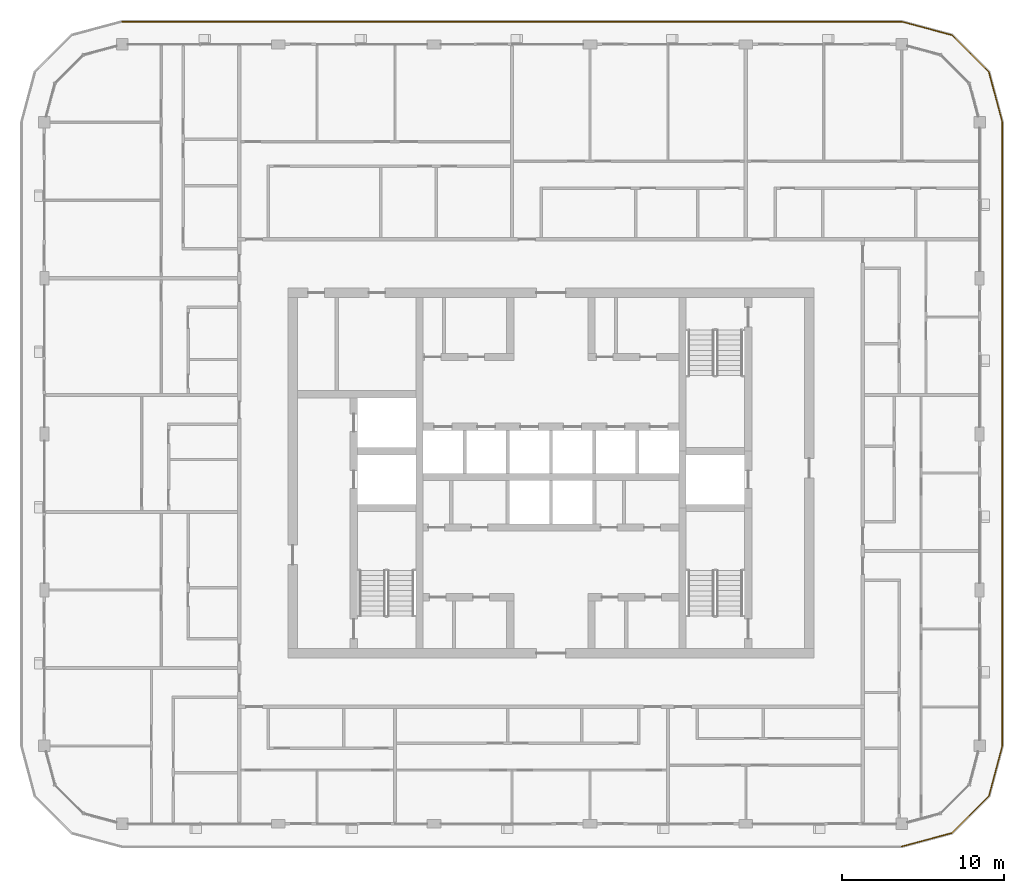
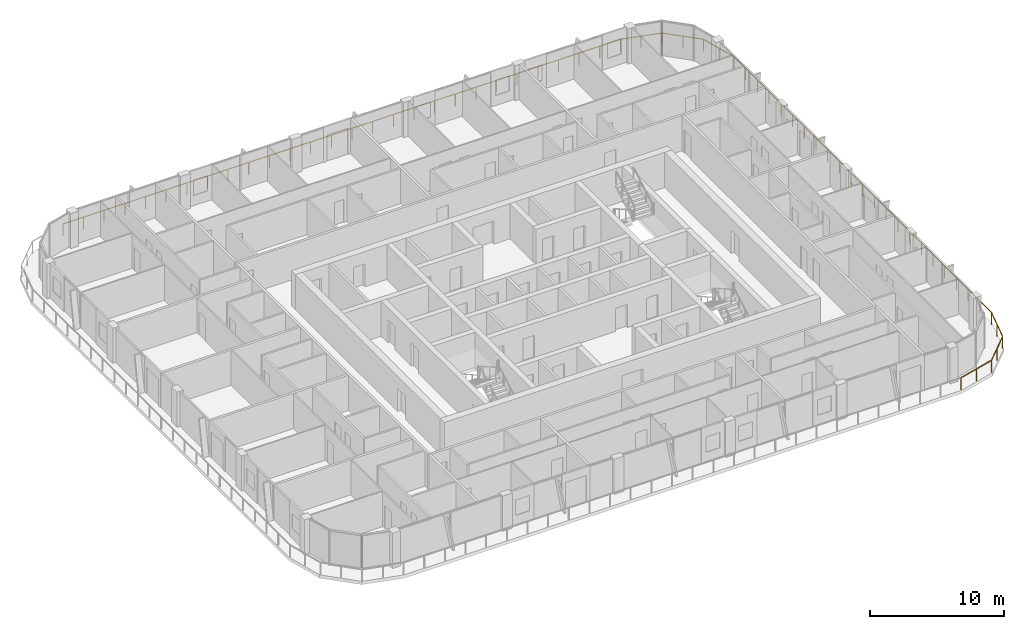
# One storey, part 20 of 22: 1 railing.
"""IFC4 building model written with IfcOpenShell, lengths in metres."""

from ifc_helpers import new_model, si_unit, direction, frame, origin, origin_2d, place, context, subcontext, project, spatial, circle, extrude, material, type_object, element, save


model = new_model("IFC4")

# Units and contexts
model_context = context("Model", 3, precision=1e-05, world=origin(), true_north=direction((0.0, 1.0)))
body_context = subcontext(model_context, "Body", "Model", "MODEL_VIEW")
ifc_project = project(units=[si_unit("LENGTHUNIT", "METRE"), si_unit("AREAUNIT", "SQUARE_METRE"), si_unit("VOLUMEUNIT", "CUBIC_METRE"), si_unit("PLANEANGLEUNIT", "RADIAN"), si_unit("MASSUNIT", "GRAM", prefix="KILO")], contexts=[model_context])

# Site, building, storey
site_placement = place(None, origin())
site = spatial("IfcSite", under=ifc_project, at=site_placement, CompositionType="ELEMENT")
building_placement = place(site_placement, origin())
building = spatial("IfcBuilding", under=site, at=building_placement, Name="Madar Terraces", CompositionType="ELEMENT")
storey_placement = place(building_placement, frame((0.0, 0.0, 256.199951171875)))
storey = spatial("IfcBuildingStorey", under=building, at=storey_placement, Name="L67", CompositionType="ELEMENT", Elevation=256.199951171875)

# Railing
ifc_material = material(Name="Glass, safety glazing, with stainless steel posts", Category="steel")
railing_type = type_object("IfcRailingType", Name="Balcony glass guard 1100", PredefinedType="GUARDRAIL", material=ifc_material)
railing_placement = place(storey_placement, frame((52.800048828125, 3.39990234375, 0.0)))
element("IfcRailing", 1, at=railing_placement, inside=storey, type_object=railing_type, Name="Balcony guard", PredefinedType="GUARDRAIL", context=body_context, shape_type="SweptSolid", body=[
    extrude(circle(Radius=0.02392578125, at=origin_2d()), frame((0.0, 0.0, 1.076171875), z_axis=(0.965909675762, 0.25887931217, 0.0), x_axis=(-0.25887931217, 0.965909675762, 0.0)), (0.0, 0.0, 1.0), 3.209228515625),
    extrude(circle(Radius=0.02392578125, at=origin_2d()), frame((3.099853515625, 0.830810546875, 1.076171875), z_axis=(0.707144815061, 0.707068745266, 0.0), x_axis=(-0.707068745266, 0.707144815061, 0.0)), (0.0, 0.0, 1.0), 3.20947265625),
    extrude(circle(Radius=0.02392578125, at=origin_2d()), frame((5.369384765625, 3.10009765625, 1.076171875), z_axis=(0.258789317819, 0.9659337912, 0.0), x_axis=(-0.9659337912, 0.258789317819, 0.0)), (0.0, 0.0, 1.0), 3.20947265625),
    extrude(circle(Radius=0.02392578125, at=origin_2d()), frame((6.199951171875, 6.2001953125, 1.076171875), z_axis=(0.0, 1.0, 0.0), x_axis=(-1.0, 0.0, 0.0)), (0.0, 0.0, 1.0), 38.39990234375),
    extrude(circle(Radius=0.02392578125, at=origin_2d()), frame((6.199951171875, 44.60009765625, 1.076171875), z_axis=(-0.258789317819, 0.9659337912, 0.0), x_axis=(-0.9659337912, -0.258789317819, 0.0)), (0.0, 0.0, 1.0), 3.20947265625),
    extrude(circle(Radius=0.02392578125, at=origin_2d()), frame((5.369384765625, 47.7001953125, 1.076171875), z_axis=(-0.707144815061, 0.707068745266, 0.0), x_axis=(-0.707068745266, -0.707144815061, 0.0)), (0.0, 0.0, 1.0), 3.20947265625),
    extrude(circle(Radius=0.02392578125, at=origin_2d()), frame((3.099853515625, 49.969482421875, 1.076171875), z_axis=(-0.965928696102, 0.258808334578, 0.0), x_axis=(-0.258808334578, -0.965928696102, 0.0)), (0.0, 0.0, 1.0), 3.209228515625),
    extrude(circle(Radius=0.02392578125, at=origin_2d()), frame((0.0, 50.800048828125, 1.076171875), z_axis=(-1.0, 0.0, 0.0), x_axis=(0.0, -1.0, 0.0)), (0.0, 0.0, 1.0), 48.0),
    extrude(circle(Radius=0.02099609375, at=origin_2d()), origin(), (0.0, 0.0, 1.0), 1.052001953125),
    extrude(circle(Radius=0.02099609375, at=origin_2d()), frame((1.5498046875, 0.41552734375, 0.0)), (0.0, 0.0, 1.0), 1.052001953125),
    extrude(circle(Radius=0.02099609375, at=origin_2d()), frame((3.099853515625, 0.830810546875, 0.0)), (0.0, 0.0, 1.0), 1.052001953125),
    extrude(circle(Radius=0.02099609375, at=origin_2d()), frame((4.234619140625, 1.96533203125, 0.0)), (0.0, 0.0, 1.0), 1.052001953125),
    extrude(circle(Radius=0.02099609375, at=origin_2d()), frame((5.369384765625, 3.10009765625, 0.0)), (0.0, 0.0, 1.0), 1.052001953125),
    extrude(circle(Radius=0.02099609375, at=origin_2d()), frame((5.78466796875, 4.650146484375, 0.0)), (0.0, 0.0, 1.0), 1.052001953125),
    extrude(circle(Radius=0.02099609375, at=origin_2d()), frame((6.199951171875, 6.2001953125, 0.0)), (0.0, 0.0, 1.0), 1.052001953125),
    extrude(circle(Radius=0.02099609375, at=origin_2d()), frame((6.199951171875, 7.945556640625, 0.0)), (0.0, 0.0, 1.0), 1.052001953125),
    extrude(circle(Radius=0.02099609375, at=origin_2d()), frame((6.199951171875, 9.691162109375, 0.0)), (0.0, 0.0, 1.0), 1.052001953125),
    extrude(circle(Radius=0.02099609375, at=origin_2d()), frame((6.199951171875, 11.4365234375, 0.0)), (0.0, 0.0, 1.0), 1.052001953125),
    extrude(circle(Radius=0.02099609375, at=origin_2d()), frame((6.199951171875, 13.181884765625, 0.0)), (0.0, 0.0, 1.0), 1.052001953125),
    extrude(circle(Radius=0.02099609375, at=origin_2d()), frame((6.199951171875, 14.927490234375, 0.0)), (0.0, 0.0, 1.0), 1.052001953125),
    extrude(circle(Radius=0.02099609375, at=origin_2d()), frame((6.199951171875, 16.6728515625, 0.0)), (0.0, 0.0, 1.0), 1.052001953125),
    extrude(circle(Radius=0.02099609375, at=origin_2d()), frame((6.199951171875, 18.41845703125, 0.0)), (0.0, 0.0, 1.0), 1.052001953125),
    extrude(circle(Radius=0.02099609375, at=origin_2d()), frame((6.199951171875, 20.163818359375, 0.0)), (0.0, 0.0, 1.0), 1.052001953125),
    extrude(circle(Radius=0.02099609375, at=origin_2d()), frame((6.199951171875, 21.9091796875, 0.0)), (0.0, 0.0, 1.0), 1.052001953125),
    extrude(circle(Radius=0.02099609375, at=origin_2d()), frame((6.199951171875, 23.65478515625, 0.0)), (0.0, 0.0, 1.0), 1.052001953125),
    extrude(circle(Radius=0.02099609375, at=origin_2d()), frame((6.199951171875, 25.400146484375, 0.0)), (0.0, 0.0, 1.0), 1.052001953125),
    extrude(circle(Radius=0.02099609375, at=origin_2d()), frame((6.199951171875, 27.1455078125, 0.0)), (0.0, 0.0, 1.0), 1.052001953125),
    extrude(circle(Radius=0.02099609375, at=origin_2d()), frame((6.199951171875, 28.89111328125, 0.0)), (0.0, 0.0, 1.0), 1.052001953125),
    extrude(circle(Radius=0.02099609375, at=origin_2d()), frame((6.199951171875, 30.636474609375, 0.0)), (0.0, 0.0, 1.0), 1.052001953125),
    extrude(circle(Radius=0.02099609375, at=origin_2d()), frame((6.199951171875, 32.3818359375, 0.0)), (0.0, 0.0, 1.0), 1.052001953125),
    extrude(circle(Radius=0.02099609375, at=origin_2d()), frame((6.199951171875, 34.12744140625, 0.0)), (0.0, 0.0, 1.0), 1.052001953125),
    extrude(circle(Radius=0.02099609375, at=origin_2d()), frame((6.199951171875, 35.872802734375, 0.0)), (0.0, 0.0, 1.0), 1.052001953125),
    extrude(circle(Radius=0.02099609375, at=origin_2d()), frame((6.199951171875, 37.618408203125, 0.0)), (0.0, 0.0, 1.0), 1.052001953125),
    extrude(circle(Radius=0.02099609375, at=origin_2d()), frame((6.199951171875, 39.36376953125, 0.0)), (0.0, 0.0, 1.0), 1.052001953125),
    extrude(circle(Radius=0.02099609375, at=origin_2d()), frame((6.199951171875, 41.109130859375, 0.0)), (0.0, 0.0, 1.0), 1.052001953125),
    extrude(circle(Radius=0.02099609375, at=origin_2d()), frame((6.199951171875, 42.854736328125, 0.0)), (0.0, 0.0, 1.0), 1.052001953125),
    extrude(circle(Radius=0.02099609375, at=origin_2d()), frame((6.199951171875, 44.60009765625, 0.0)), (0.0, 0.0, 1.0), 1.052001953125),
    extrude(circle(Radius=0.02099609375, at=origin_2d()), frame((5.78466796875, 46.150146484375, 0.0)), (0.0, 0.0, 1.0), 1.052001953125),
    extrude(circle(Radius=0.02099609375, at=origin_2d()), frame((5.369384765625, 47.7001953125, 0.0)), (0.0, 0.0, 1.0), 1.052001953125),
    extrude(circle(Radius=0.02099609375, at=origin_2d()), frame((4.234619140625, 48.8349609375, 0.0)), (0.0, 0.0, 1.0), 1.052001953125),
    extrude(circle(Radius=0.02099609375, at=origin_2d()), frame((3.099853515625, 49.969482421875, 0.0)), (0.0, 0.0, 1.0), 1.052001953125),
    extrude(circle(Radius=0.02099609375, at=origin_2d()), frame((1.5498046875, 50.384765625, 0.0)), (0.0, 0.0, 1.0), 1.052001953125),
    extrude(circle(Radius=0.02099609375, at=origin_2d()), frame((0.0, 50.800048828125, 0.0)), (0.0, 0.0, 1.0), 1.052001953125),
    extrude(circle(Radius=0.02099609375, at=origin_2d()), frame((-1.77783203125, 50.800048828125, 0.0)), (0.0, 0.0, 1.0), 1.052001953125),
    extrude(circle(Radius=0.02099609375, at=origin_2d()), frame((-3.5556640625, 50.800048828125, 0.0)), (0.0, 0.0, 1.0), 1.052001953125),
    extrude(circle(Radius=0.02099609375, at=origin_2d()), frame((-5.333251953125, 50.800048828125, 0.0)), (0.0, 0.0, 1.0), 1.052001953125),
    extrude(circle(Radius=0.02099609375, at=origin_2d()), frame((-7.111083984375, 50.800048828125, 0.0)), (0.0, 0.0, 1.0), 1.052001953125),
    extrude(circle(Radius=0.02099609375, at=origin_2d()), frame((-8.888916015625, 50.800048828125, 0.0)), (0.0, 0.0, 1.0), 1.052001953125),
    extrude(circle(Radius=0.02099609375, at=origin_2d()), frame((-10.666748046875, 50.800048828125, 0.0)), (0.0, 0.0, 1.0), 1.052001953125),
    extrude(circle(Radius=0.02099609375, at=origin_2d()), frame((-12.4443359375, 50.800048828125, 0.0)), (0.0, 0.0, 1.0), 1.052001953125),
    extrude(circle(Radius=0.02099609375, at=origin_2d()), frame((-14.22216796875, 50.800048828125, 0.0)), (0.0, 0.0, 1.0), 1.052001953125),
    extrude(circle(Radius=0.02099609375, at=origin_2d()), frame((-16.0, 50.800048828125, 0.0)), (0.0, 0.0, 1.0), 1.052001953125),
    extrude(circle(Radius=0.02099609375, at=origin_2d()), frame((-17.77783203125, 50.800048828125, 0.0)), (0.0, 0.0, 1.0), 1.052001953125),
    extrude(circle(Radius=0.02099609375, at=origin_2d()), frame((-19.5556640625, 50.800048828125, 0.0)), (0.0, 0.0, 1.0), 1.052001953125),
    extrude(circle(Radius=0.02099609375, at=origin_2d()), frame((-21.333251953125, 50.800048828125, 0.0)), (0.0, 0.0, 1.0), 1.052001953125),
    extrude(circle(Radius=0.02099609375, at=origin_2d()), frame((-23.111083984375, 50.800048828125, 0.0)), (0.0, 0.0, 1.0), 1.052001953125),
    extrude(circle(Radius=0.02099609375, at=origin_2d()), frame((-24.888916015625, 50.800048828125, 0.0)), (0.0, 0.0, 1.0), 1.052001953125),
    extrude(circle(Radius=0.02099609375, at=origin_2d()), frame((-26.666748046875, 50.800048828125, 0.0)), (0.0, 0.0, 1.0), 1.052001953125),
    extrude(circle(Radius=0.02099609375, at=origin_2d()), frame((-28.4443359375, 50.800048828125, 0.0)), (0.0, 0.0, 1.0), 1.052001953125),
    extrude(circle(Radius=0.02099609375, at=origin_2d()), frame((-30.22216796875, 50.800048828125, 0.0)), (0.0, 0.0, 1.0), 1.052001953125),
    extrude(circle(Radius=0.02099609375, at=origin_2d()), frame((-32.0, 50.800048828125, 0.0)), (0.0, 0.0, 1.0), 1.052001953125),
    extrude(circle(Radius=0.02099609375, at=origin_2d()), frame((-33.77783203125, 50.800048828125, 0.0)), (0.0, 0.0, 1.0), 1.052001953125),
    extrude(circle(Radius=0.02099609375, at=origin_2d()), frame((-35.5556640625, 50.800048828125, 0.0)), (0.0, 0.0, 1.0), 1.052001953125),
    extrude(circle(Radius=0.02099609375, at=origin_2d()), frame((-37.333251953125, 50.800048828125, 0.0)), (0.0, 0.0, 1.0), 1.052001953125),
    extrude(circle(Radius=0.02099609375, at=origin_2d()), frame((-39.111083984375, 50.800048828125, 0.0)), (0.0, 0.0, 1.0), 1.052001953125),
    extrude(circle(Radius=0.02099609375, at=origin_2d()), frame((-40.888916015625, 50.800048828125, 0.0)), (0.0, 0.0, 1.0), 1.052001953125),
    extrude(circle(Radius=0.02099609375, at=origin_2d()), frame((-42.666748046875, 50.800048828125, 0.0)), (0.0, 0.0, 1.0), 1.052001953125),
    extrude(circle(Radius=0.02099609375, at=origin_2d()), frame((-44.4443359375, 50.800048828125, 0.0)), (0.0, 0.0, 1.0), 1.052001953125),
    extrude(circle(Radius=0.02099609375, at=origin_2d()), frame((-46.22216796875, 50.800048828125, 0.0)), (0.0, 0.0, 1.0), 1.052001953125),
    extrude(circle(Radius=0.02099609375, at=origin_2d()), frame((-48.0, 50.800048828125, 0.0)), (0.0, 0.0, 1.0), 1.052001953125),
])

save(model, "model.ifc")
